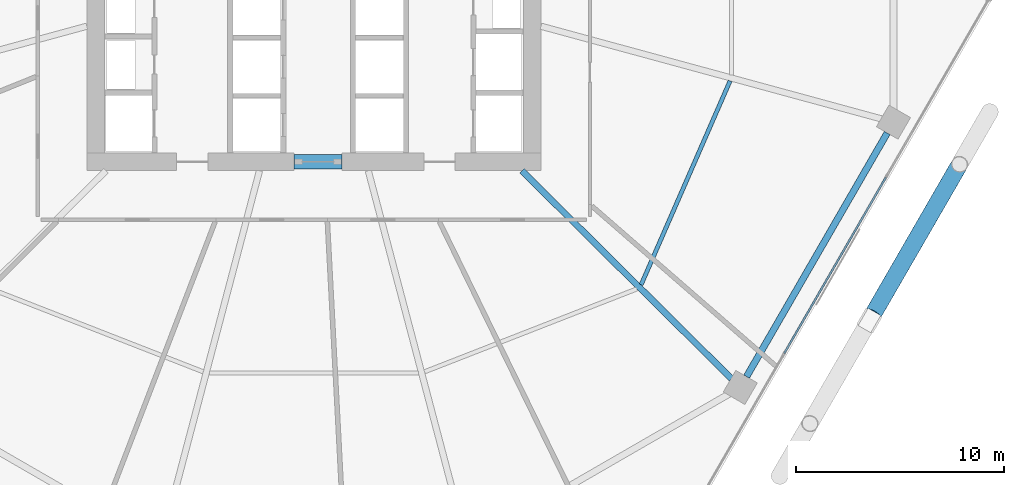
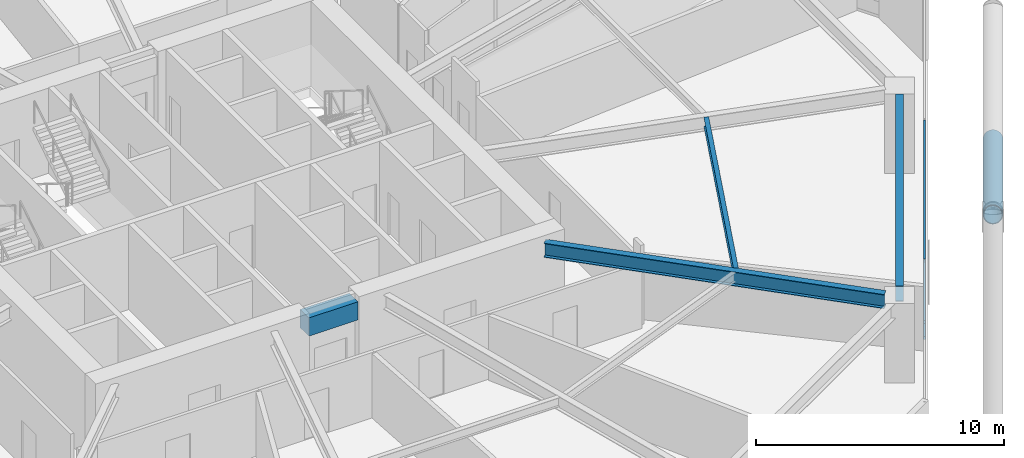
# One storey, part 10 of 31: 4 beams, 4 members, 1 element without a shape of its own.
"""IFC4 building model written with IfcOpenShell, lengths in metres."""

from ifc_helpers import new_model, si_unit, direction, frame, origin, origin_2d, place, context, subcontext, project, spatial, rectangle, hollow_rectangle, hollow_circle, i_section, extrude, material, material_profile, profile_set, type_object, element, aggregate, save


model = new_model("IFC4")

# Units and contexts
model_context = context("Model", 3, precision=1e-05, world=origin(), true_north=direction((0.0, 1.0)))
body_context = subcontext(model_context, "Body", "Model", "MODEL_VIEW")
ifc_project = project(units=[si_unit("LENGTHUNIT", "METRE"), si_unit("AREAUNIT", "SQUARE_METRE"), si_unit("VOLUMEUNIT", "CUBIC_METRE"), si_unit("PLANEANGLEUNIT", "RADIAN"), si_unit("MASSUNIT", "GRAM", prefix="KILO")], contexts=[model_context])

# Site, building, storey
site_placement = place(None, origin())
site = spatial("IfcSite", under=ifc_project, at=site_placement, CompositionType="ELEMENT")
building_placement = place(site_placement, origin())
building = spatial("IfcBuilding", under=site, at=building_placement, Name="Zuhravey Tower", CompositionType="ELEMENT")
storey_placement = place(building_placement, frame((0.0, 0.0, 7.800048828125)))
storey = spatial("IfcBuildingStorey", under=building, at=storey_placement, Name="L02", CompositionType="ELEMENT", Elevation=7.800048828125)

# Beam
ifc_material_1 = material(Name="Concrete C60/75", Category="concrete")
ifc_material_profile_1 = material_profile(ifc_material_1, rectangle(XDim=0.699951171875, YDim=0.89990234375, at=origin_2d()), Name="RC-700x900")
ifc_profile_set_1 = profile_set([ifc_material_profile_1], Name="Concrete C60/75")
beam_type_1 = type_object("IfcBeamType", Name="Core Coupling Beam RC700x900", PredefinedType="LINTEL", material=ifc_profile_set_1)
beam_1_placement = place(storey_placement, frame((35.052001953125, 22.5, 3.469970703125), z_axis=(1.0, 0.0, 0.0), x_axis=(0.0, 1.0, 0.0)))
element("IfcBeam", 1, at=beam_1_placement, inside=storey, type_object=beam_type_1, Name="L02 CB1 BM-L02-CB-S", PredefinedType="LINTEL", context=body_context, shape_type="SweptSolid", body=[
    extrude(rectangle(XDim=0.699951171875, YDim=0.89990234375, at=origin_2d()), origin(), (0.0, 0.0, 1.0), 2.2958984375),
])

# Curtain wall, members
ifc_material_2 = material(Name="Thermally broken anodised aluminium", Category="aluminium")
curtain_wall_type = type_object("IfcCurtainWallType", Name="School Low-E Unitised Curtain Wall CW1", PredefinedType="NOTDEFINED", material=ifc_material_2)
curtain_wall_placement = place(storey_placement, origin())
curtain_wall = element("IfcCurtainWall", 2, at=curtain_wall_placement, inside=storey, type_object=curtain_wall_type, Name="L02 CW1 CW-L02-F6-1", PredefinedType="NOTDEFINED")
ifc_material_3 = material(Name="Anodised aluminium", Category="aluminium")
ifc_material_profile_2 = material_profile(ifc_material_3, hollow_rectangle(XDim=0.090087890625, YDim=0.14990234375, WallThickness=0.0048828125, at=origin_2d()), Name="ALU-RHS-90x150x5")
ifc_profile_set_2 = profile_set([ifc_material_profile_2], Name="Anodised aluminium")
member_type_1 = type_object("IfcMemberType", Name="Curtain-Wall Transom 90x150", PredefinedType="USERDEFINED", material=ifc_profile_set_2)
member_1_placement = place(storey_placement, frame((63.52294921875, 21.754150390625, 0.044921875), z_axis=(-0.499990498062, -0.866030889661, 0.0), x_axis=(0.866030889661, -0.499990498062, 0.0)))
member_1 = element("IfcMember", 3, at=member_1_placement, type_object=member_type_1, Name="CW1 transom 2.1", ObjectType="TRANSOM", PredefinedType="USERDEFINED", context=body_context, shape_type="SweptSolid", body=[
    extrude(hollow_rectangle(XDim=0.090087890625, YDim=0.14990234375, WallThickness=0.0048828125, at=origin_2d()), origin(), (0.0, 0.0, 1.0), 9.776611328125),
])
member_2_placement = place(storey_placement, frame((63.52294921875, 21.754150390625, 0.849853515625), z_axis=(-0.499990498062, -0.866030889661, 0.0), x_axis=(0.866030889661, -0.499990498062, 0.0)))
member_2 = element("IfcMember", 4, at=member_2_placement, type_object=member_type_1, Name="CW1 transom 2.2", ObjectType="TRANSOM", PredefinedType="USERDEFINED", context=body_context, shape_type="SweptSolid", body=[
    extrude(hollow_rectangle(XDim=0.090087890625, YDim=0.14990234375, WallThickness=0.0048828125, at=origin_2d()), origin(), (0.0, 0.0, 1.0), 9.776611328125),
])
member_3_placement = place(storey_placement, frame((63.52294921875, 21.754150390625, 3.875), z_axis=(-0.499990498062, -0.866030889661, 0.0), x_axis=(0.866030889661, -0.499990498062, 0.0)))
member_3 = element("IfcMember", 5, at=member_3_placement, type_object=member_type_1, Name="CW1 transom 2.3", ObjectType="TRANSOM", PredefinedType="USERDEFINED", context=body_context, shape_type="SweptSolid", body=[
    extrude(hollow_rectangle(XDim=0.090087890625, YDim=0.14990234375, WallThickness=0.0048828125, at=origin_2d()), origin(), (0.0, 0.0, 1.0), 9.776611328125),
])
aggregate(curtain_wall, [member_1, member_2, member_3])

# Member
ifc_material_4 = material(Name="Steel SM460", Category="steel")
ifc_material_profile_3 = material_profile(ifc_material_4, hollow_circle(Radius=0.406494140625, WallThickness=0.035888671875, at=origin_2d()), Name="CHS-812.8x36")
ifc_profile_set_3 = profile_set([ifc_material_profile_3], Name="Steel SM460")
member_type_2 = type_object("IfcMemberType", Name="Exoskeleton Zone 1 Diagrid CHS813x36", PredefinedType="BRACE", material=ifc_profile_set_3)
member_4_placement = place(storey_placement, frame((68.51416015625, 24.879150390625, -0.64697265625), z_axis=(-0.469065796357, -0.81243743312, 0.346298564758), x_axis=(0.866023176389, -0.500003857942, 0.0)))
element("IfcMember", 6, at=member_4_placement, inside=storey, type_object=member_type_2, Name="L02 Face 6 Split Diagrid Brace 3A", PredefinedType="BRACE", context=body_context, shape_type="SweptSolid", body=[
    extrude(hollow_circle(Radius=0.406494140625, WallThickness=0.035888671875, at=origin_2d()), origin(), (0.0, 0.0, 1.0), 11.927978515625),
])

# Beams
ifc_material_5 = material(Name="Steel SM355", Category="steel")
ifc_material_profile_4 = material_profile(ifc_material_5, i_section(OverallWidth=0.320068359375, OverallDepth=0.75, WebThickness=0.013916015625, FlangeThickness=0.02490234375, at=origin_2d()), Name="H-750x320x14x25")
ifc_profile_set_4 = profile_set([ifc_material_profile_4], Name="Steel SM355")
beam_type_2 = type_object("IfcBeamType", Name="Perimeter Ring Beam H750x320", PredefinedType="BEAM", material=ifc_profile_set_4)
beam_2_placement = place(storey_placement, frame((56.820556640625, 12.165283203125, 3.544921875), z_axis=(0.499999877243, 0.866025474658, 0.0), x_axis=(-0.866025474658, 0.499999877243, 0.0)))
element("IfcBeam", 7, at=beam_2_placement, inside=storey, type_object=beam_type_2, Name="L02 PB1 BM-L02-PB-11", PredefinedType="BEAM", context=body_context, shape_type="SweptSolid", body=[
    extrude(i_section(OverallWidth=0.320068359375, OverallDepth=0.75, WebThickness=0.013916015625, FlangeThickness=0.02490234375, at=origin_2d()), origin(), (0.0, 0.0, 1.0), 13.5341796875),
])
ifc_material_profile_5 = material_profile(ifc_material_5, i_section(OverallWidth=0.300048828125, OverallDepth=0.699951171875, WebThickness=0.012939453125, FlangeThickness=0.02392578125, at=origin_2d()), Name="H-700x300x13x24")
ifc_profile_set_5 = profile_set([ifc_material_profile_5], Name="Steel SM355")
beam_type_3 = type_object("IfcBeamType", Name="Radial Primary Girder H700x300", PredefinedType="BEAM", material=ifc_profile_set_5)
beam_3_placement = place(storey_placement, frame((46.007080078125, 22.072021484375, 3.570068359375), z_axis=(0.709902823282, -0.704299639, 0.0), x_axis=(0.704299639, 0.709902823282, 0.0)))
element("IfcBeam", 8, at=beam_3_placement, inside=storey, type_object=beam_type_3, Name="L02 RG1 BM-L02-RAD-11", PredefinedType="BEAM", context=body_context, shape_type="SweptSolid", body=[
    extrude(i_section(OverallWidth=0.300048828125, OverallDepth=0.699951171875, WebThickness=0.012939453125, FlangeThickness=0.02392578125, at=origin_2d()), origin(), (0.0, 0.0, 1.0), 14.204345703125),
])
ifc_material_profile_6 = material_profile(ifc_material_5, i_section(OverallWidth=0.199951171875, OverallDepth=0.449951171875, WebThickness=0.009033203125, FlangeThickness=0.013916015625, at=origin_2d()), Name="H-450x200x9x14")
ifc_profile_set_6 = profile_set([ifc_material_profile_6], Name="Steel SM355")
beam_type_4 = type_object("IfcBeamType", Name="Secondary Floor Joist H450x200", PredefinedType="JOIST", material=ifc_profile_set_6)
beam_4_placement = place(storey_placement, frame((51.7451171875, 16.58154296875, 3.695068359375), z_axis=(0.399923551578, 0.916548500022, 0.0), x_axis=(-0.916548500022, 0.399923551578, 0.0)))
element("IfcBeam", 9, at=beam_4_placement, inside=storey, type_object=beam_type_4, Name="L02 SJ1 BM-L02-SJ-11-1", PredefinedType="JOIST", context=body_context, shape_type="SweptSolid", body=[
    extrude(i_section(OverallWidth=0.199951171875, OverallDepth=0.449951171875, WebThickness=0.009033203125, FlangeThickness=0.013916015625, at=origin_2d()), origin(), (0.0, 0.0, 1.0), 10.70263671875),
])

save(model, "model.ifc")
